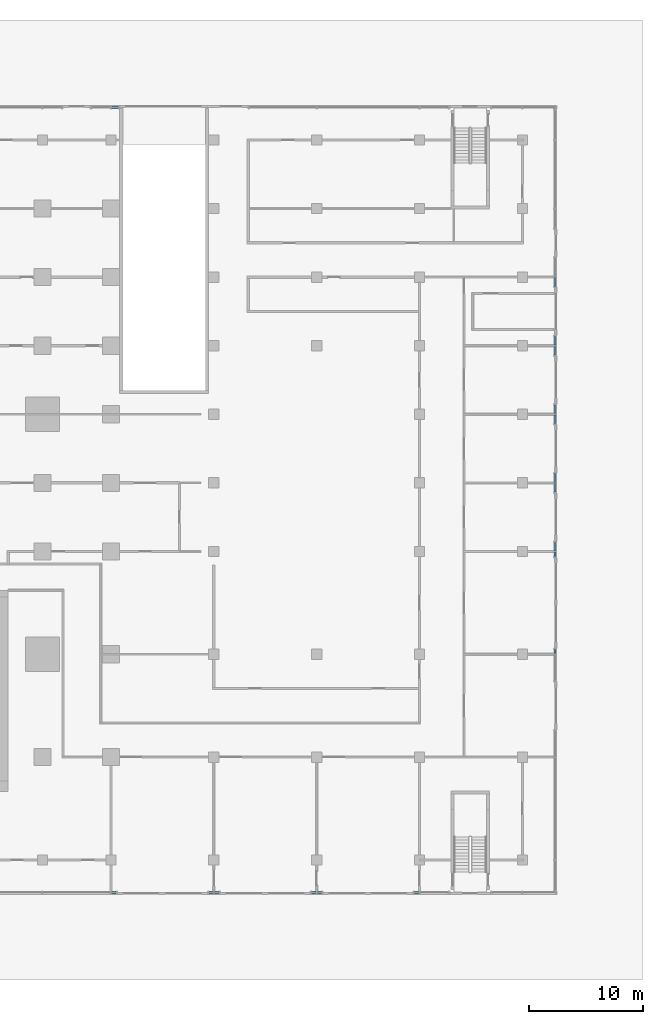
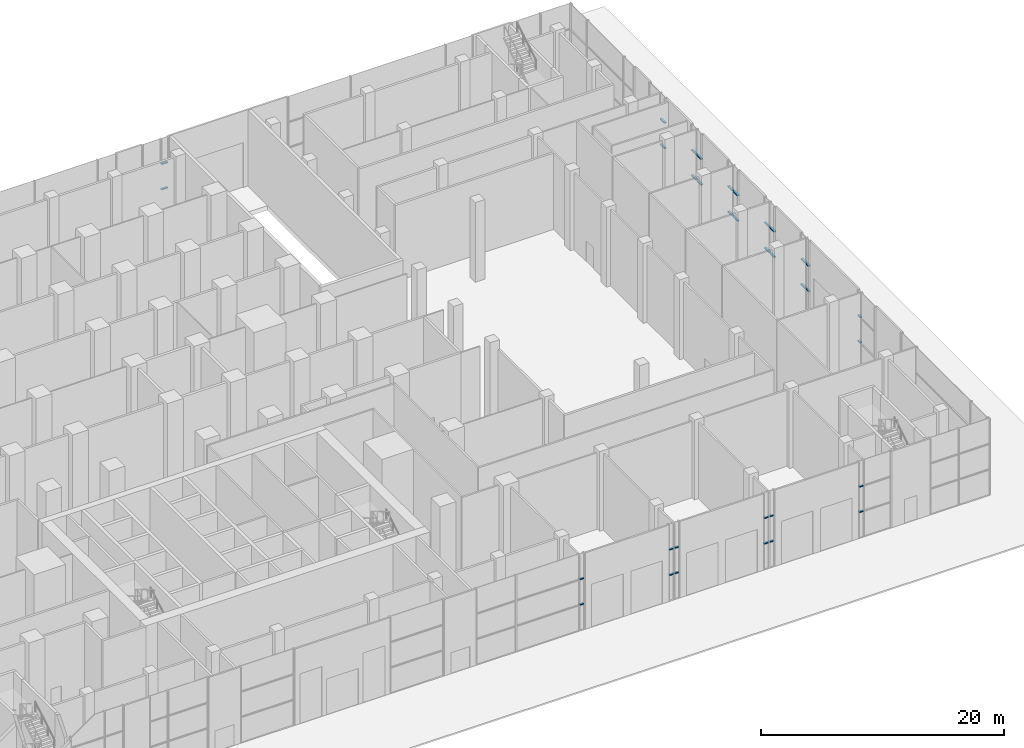
# One storey, part 9 of 29: 34 members, 11 elements without a shape of their own.
"""IFC4 building model written with IfcOpenShell, lengths in metres."""

import ifcopenshell
import ifcopenshell.guid

model = None  # the IFC model being written
_history = None  # IfcOwnerHistory: only IFC2X3 demands one
_inside = {}  # id of a spatial element -> (the spatial element, [elements in it])
_under = {}  # id of a project, library or spatial element -> (it, [spatial elements below it])
_declared = {}  # id of a project -> (the project, [libraries it declares])
_typed = {}  # id of a type object -> (the type object, [elements of that type])
_made_of = {}  # id of a material, layer set ... -> (it, [elements and type objects made of it])


def new_model(schema):
    """Start an empty IFC model of exactly this schema.

    Asked for "IFC4X3", IfcOpenShell would pick the latest addendum, in which some entities
    have other attributes; the version numbers below select the first issue.
    IFC2X3 requires an IfcOwnerHistory on every rooted entity: one is made here for all.
    """
    global model, _history
    if schema == "IFC4X3":
        model = ifcopenshell.file(schema_version=(4, 3, 0, 0))
    else:
        model = ifcopenshell.file(schema=schema)
    _inside.clear()
    _under.clear()
    _declared.clear()
    _typed.clear()
    _made_of.clear()
    _history = None
    if model.schema == "IFC2X3":
        org = make("IfcOrganization", Name="unknown")
        user = make(
            "IfcPersonAndOrganization",
            ThePerson=make("IfcPerson", FamilyName="unknown"),
            TheOrganization=org,
        )
        app = make(
            "IfcApplication",
            ApplicationDeveloper=org,
            Version="unknown",
            ApplicationFullName="unknown",
            ApplicationIdentifier="unknown",
        )
        _history = make(
            "IfcOwnerHistory",
            OwningUser=user,
            OwningApplication=app,
            ChangeAction="ADDED",
            CreationDate=0,
        )
    return model


def make(cls, **values):
    """One entity of the class cls with the attributes given. An attribute that is None is left unset."""
    return model.create_entity(
        cls, **{name: value for name, value in values.items() if value is not None}
    )


def rooted(cls, **values):
    """An entity with a GlobalId (a new one), such as an element, a storey or a relation."""
    return make(cls, GlobalId=ifcopenshell.guid.new(), OwnerHistory=_history, **values)


def si_unit(unit_type, name, prefix=None):
    """IfcSIUnit, for example si_unit("LENGTHUNIT", "METRE", prefix="MILLI")."""
    return make("IfcSIUnit", UnitType=unit_type, Prefix=prefix, Name=name)


def assignment(units):
    """IfcUnitAssignment: the units of a project."""
    return None if units is None else make("IfcUnitAssignment", Units=units)


def point(xyz):
    """IfcCartesianPoint."""
    return None if xyz is None else make("IfcCartesianPoint", Coordinates=xyz)


def direction(xyz):
    """IfcDirection."""
    return None if xyz is None else make("IfcDirection", DirectionRatios=xyz)


def frame(location, z_axis=None, x_axis=None):
    """IfcAxis2Placement3D, a coordinate frame: its origin and axes. An axis left out is left unset."""
    return make(
        "IfcAxis2Placement3D",
        Location=point(location),
        Axis=direction(z_axis),
        RefDirection=direction(x_axis),
    )


def frame_2d(location, x_axis=None):
    """IfcAxis2Placement2D, a coordinate frame in the plane: its origin and x axis."""
    return make(
        "IfcAxis2Placement2D", Location=point(location), RefDirection=direction(x_axis)
    )


def origin():
    """The frame at (0, 0, 0) with its axes left unset."""
    return frame((0.0, 0.0, 0.0))


def origin_2d():
    """The frame at (0, 0) in the plane with its x axis left unset."""
    return frame_2d((0.0, 0.0))


def place(relative_to, where):
    """IfcLocalPlacement: puts the frame where relative to a parent placement (None: the world)."""
    return make(
        "IfcLocalPlacement", PlacementRelTo=relative_to, RelativePlacement=where
    )


def context(
    kind, dimensions, precision=None, world=None, true_north=None, identifier=None
):
    """IfcGeometricRepresentationContext, for example the 3D "Model" context."""
    return make(
        "IfcGeometricRepresentationContext",
        ContextIdentifier=identifier,
        ContextType=kind,
        CoordinateSpaceDimension=dimensions,
        Precision=precision,
        WorldCoordinateSystem=world,
        TrueNorth=true_north,
    )


def subcontext(parent, identifier, kind, view, scale=None):
    """IfcGeometricRepresentationSubContext, for example "Body" below "Model"."""
    return make(
        "IfcGeometricRepresentationSubContext",
        ContextIdentifier=identifier,
        ContextType=kind,
        ParentContext=parent,
        TargetScale=scale,
        TargetView=view,
    )


def project(units=None, contexts=None):
    """IfcProject with its units and contexts."""
    return rooted(
        "IfcProject",
        Name="project",
        RepresentationContexts=contexts,
        UnitsInContext=assignment(units),
    )


def spatial(cls, under=None, at=None, **own):
    """A site, building, storey or space (cls), placed at a placement, below another one or the project."""
    s = rooted(cls, ObjectPlacement=at, **own)
    if under is not None:
        _under.setdefault(under.id(), (under, []))[1].append(s)
    return s


def profile(cls, at=None, kind="AREA", **sizes):
    """A parametric profile (cls). Its sizes go by their IFC names, for example OverallWidth=200.0."""
    return make(cls, ProfileType=kind, Position=at, **sizes)


def rectangle(**sizes):
    """IfcRectangleProfileDef."""
    return profile("IfcRectangleProfileDef", **sizes)


def extrude(swept, where, along, depth):
    """IfcExtrudedAreaSolid: the profile swept, set in the frame where, extruded along a direction by depth."""
    return make(
        "IfcExtrudedAreaSolid",
        SweptArea=swept,
        Position=where,
        ExtrudedDirection=direction(along),
        Depth=depth,
    )


def shape(context_of_items, identifier, shape_type, items):
    """IfcShapeRepresentation: the items that make up one representation, for example the "Body"."""
    return make(
        "IfcShapeRepresentation",
        ContextOfItems=context_of_items,
        RepresentationIdentifier=identifier,
        RepresentationType=shape_type,
        Items=items,
    )


def material(Name=None, Category=None):
    """IfcMaterial."""
    return make("IfcMaterial", Name=Name, Category=Category)


def material_profile(
    of_material, cross_section, Name=None, Category=None, Priority=None
):
    """IfcMaterialProfile: a cross section and its material."""
    return make(
        "IfcMaterialProfile",
        Name=Name,
        Material=of_material,
        Profile=cross_section,
        Priority=Priority,
        Category=Category,
    )


def profile_set(profiles, Name=None, composite=None):
    """IfcMaterialProfileSet."""
    return make(
        "IfcMaterialProfileSet",
        Name=Name,
        MaterialProfiles=profiles,
        CompositeProfile=composite,
    )


def made_of(thing, what):
    """Note that an element or type object is made of a material, layer set ...; save() writes the relation."""
    if what is not None:
        _made_of.setdefault(what.id(), (what, []))[1].append(thing)
    return thing


def type_object(cls, material=None, **own):
    """A type object (cls), such as IfcWallType, which elements share."""
    return made_of(rooted(cls, **own), material)


def element(
    cls,
    number,
    at=None,
    inside=None,
    cuts=None,
    type_object=None,
    material=None,
    context=None,
    identifier="Body",
    shape_type=None,
    held_by="IfcProductDefinitionShape",
    body=None,
    shapes=None,
    **own,
):
    """One element of the class cls, such as IfcWall. Its Tag is "e" and its number.

    at: its placement. inside: the storey or other place that contains it. cuts: it is an
    opening in that element (IfcRelVoidsElement). A single representation is given by context,
    identifier, shape_type and body (its items); several are given by shapes. held_by: the class
    of the entity that holds the representations. save() writes the other relations.
    """
    e = rooted(cls, Tag="e%d" % number, ObjectPlacement=at, **own)
    if body is not None:
        shapes = [shape(context, identifier, shape_type, body)]
    if shapes is not None:
        e.Representation = make(held_by, Representations=shapes)
    if inside is not None:
        _inside.setdefault(inside.id(), (inside, []))[1].append(e)
    if cuts is not None:
        rooted(
            "IfcRelVoidsElement", RelatingBuildingElement=cuts, RelatedOpeningElement=e
        )
    if type_object is not None:
        _typed.setdefault(type_object.id(), (type_object, []))[1].append(e)
    return made_of(e, material)


def aggregate(whole, parts):
    """IfcRelAggregates: a whole, such as a stair, and the parts it consists of."""
    return rooted("IfcRelAggregates", RelatingObject=whole, RelatedObjects=parts)


def save(model, path):
    """Write the relations noted so far, then the file.

    IfcRelAggregates (storeys below a building ...), IfcRelContainedInSpatialStructure (elements
    in a storey), IfcRelDefinesByType, IfcRelAssociatesMaterial and IfcRelDeclares: one each for
    every whole, place, type object, material and project.
    """
    for whole, parts in _under.values():
        aggregate(whole, parts)
    for where, things in _inside.values():
        rooted(
            "IfcRelContainedInSpatialStructure",
            RelatedElements=things,
            RelatingStructure=where,
        )
    for kind, things in _typed.values():
        rooted("IfcRelDefinesByType", RelatedObjects=things, RelatingType=kind)
    for what, things in _made_of.values():
        rooted("IfcRelAssociatesMaterial", RelatedObjects=things, RelatingMaterial=what)
    for by, libraries in _declared.values():
        rooted("IfcRelDeclares", RelatingContext=by, RelatedDefinitions=libraries)
    model.write(path)


model = new_model("IFC4")

# Units and contexts
model_context = context("Model", 3, precision=1e-05, world=origin(), true_north=direction((0.0, 1.0)))
body_context = subcontext(model_context, "Body", "Model", "MODEL_VIEW")
ifc_project = project(units=[si_unit("LENGTHUNIT", "METRE"), si_unit("AREAUNIT", "SQUARE_METRE"), si_unit("VOLUMEUNIT", "CUBIC_METRE"), si_unit("PLANEANGLEUNIT", "RADIAN"), si_unit("MASSUNIT", "GRAM", prefix="KILO")], contexts=[model_context])

# Site, building, storey
site_placement = place(None, origin())
site = spatial("IfcSite", under=ifc_project, at=site_placement, CompositionType="ELEMENT")
building_placement = place(site_placement, origin())
building = spatial("IfcBuilding", under=site, at=building_placement, Name="Finial Court Residences", CompositionType="ELEMENT")
storey_placement = place(building_placement, origin())
storey = spatial("IfcBuildingStorey", under=building, at=storey_placement, Name="L00", CompositionType="ELEMENT", Elevation=0.0)

# Curtain wall, members
ifc_material = material(Name="Bronze anodised aluminium", Category="aluminium")
curtain_wall_type = type_object("IfcCurtainWallType", Name="Podium shopfront", PredefinedType="NOTDEFINED", material=ifc_material)
curtain_wall_1_placement = place(storey_placement, origin())
curtain_wall_1 = element("IfcCurtainWall", 1, at=curtain_wall_1_placement, inside=storey, type_object=curtain_wall_type, Name="E-L00-CW-N6", PredefinedType="NOTDEFINED")
ifc_material_profile = material_profile(ifc_material, rectangle(XDim=0.199951171875, YDim=0.10009765625, at=origin_2d()), Name="CW4 transom 100 x 200")
ifc_profile_set = profile_set([ifc_material_profile], Name="Bronze anodised aluminium")
member_type = type_object("IfcMemberType", Name="CW4 transom 100 x 200", PredefinedType="USERDEFINED", material=ifc_profile_set)
member_1_placement = place(storey_placement, frame((22.550048828125, 34.35009765625, 2.550048828125), z_axis=(1.0, 0.0, 0.0), x_axis=(0.0, 1.0, 0.0)))
member_1 = element("IfcMember", 2, at=member_1_placement, type_object=member_type, Name="CW4 transom 2.1", ObjectType="TRANSOM", PredefinedType="USERDEFINED", context=body_context, shape_type="SweptSolid", body=[
    extrude(rectangle(XDim=0.199951171875, YDim=0.10009765625, at=origin_2d()), origin(), (0.0, 0.0, 1.0), 0.599853515625),
])
member_2_placement = place(storey_placement, frame((22.550048828125, 34.35009765625, 5.10009765625), z_axis=(1.0, 0.0, 0.0), x_axis=(0.0, 1.0, 0.0)))
member_2 = element("IfcMember", 3, at=member_2_placement, type_object=member_type, Name="CW4 transom 2.2", ObjectType="TRANSOM", PredefinedType="USERDEFINED", context=body_context, shape_type="SweptSolid", body=[
    extrude(rectangle(XDim=0.199951171875, YDim=0.10009765625, at=origin_2d()), origin(), (0.0, 0.0, 1.0), 0.599853515625),
])
aggregate(curtain_wall_1, [member_1, member_2])

curtain_wall_2_placement = place(storey_placement, origin())
curtain_wall_2 = element("IfcCurtainWall", 4, at=curtain_wall_2_placement, inside=storey, type_object=curtain_wall_type, Name="E-L00-CW-E10", PredefinedType="NOTDEFINED")
member_3_placement = place(storey_placement, frame((61.35009765625, -13.449951171875, 2.550048828125), z_axis=(0.0, 1.0, 0.0), x_axis=(-1.0, 0.0, 0.0)))
member_3 = element("IfcMember", 5, at=member_3_placement, type_object=member_type, Name="CW4 transom 2.1", ObjectType="TRANSOM", PredefinedType="USERDEFINED", context=body_context, shape_type="SweptSolid", body=[
    extrude(rectangle(XDim=0.199951171875, YDim=0.10009765625, at=origin_2d()), origin(), (0.0, 0.0, 1.0), 0.3916015625),
])
member_4_placement = place(storey_placement, frame((61.35009765625, -13.449951171875, 5.10009765625), z_axis=(0.0, 1.0, 0.0), x_axis=(-1.0, 0.0, 0.0)))
member_4 = element("IfcMember", 6, at=member_4_placement, type_object=member_type, Name="CW4 transom 2.2", ObjectType="TRANSOM", PredefinedType="USERDEFINED", context=body_context, shape_type="SweptSolid", body=[
    extrude(rectangle(XDim=0.199951171875, YDim=0.10009765625, at=origin_2d()), origin(), (0.0, 0.0, 1.0), 0.3916015625),
])
aggregate(curtain_wall_2, [member_3, member_4])

curtain_wall_3_placement = place(storey_placement, origin())
curtain_wall_3 = element("IfcCurtainWall", 7, at=curtain_wall_3_placement, inside=storey, type_object=curtain_wall_type, Name="E-L00-CW-E11", PredefinedType="NOTDEFINED")
member_5_placement = place(storey_placement, frame((61.35009765625, -4.941650390625, 2.550048828125), z_axis=(0.0, 1.0, 0.0), x_axis=(-1.0, 0.0, 0.0)))
member_5 = element("IfcMember", 8, at=member_5_placement, type_object=member_type, Name="CW4 transom 1.1", ObjectType="TRANSOM", PredefinedType="USERDEFINED", context=body_context, shape_type="SweptSolid", body=[
    extrude(rectangle(XDim=0.199951171875, YDim=0.10009765625, at=origin_2d()), origin(), (0.0, 0.0, 1.0), 0.3916015625),
])
member_6_placement = place(storey_placement, frame((61.35009765625, -4.941650390625, 5.10009765625), z_axis=(0.0, 1.0, 0.0), x_axis=(-1.0, 0.0, 0.0)))
member_6 = element("IfcMember", 9, at=member_6_placement, type_object=member_type, Name="CW4 transom 1.2", ObjectType="TRANSOM", PredefinedType="USERDEFINED", context=body_context, shape_type="SweptSolid", body=[
    extrude(rectangle(XDim=0.199951171875, YDim=0.10009765625, at=origin_2d()), origin(), (0.0, 0.0, 1.0), 0.3916015625),
])
member_7_placement = place(storey_placement, frame((61.35009765625, -4.449951171875, 2.550048828125), z_axis=(0.0, 1.0, 0.0), x_axis=(-1.0, 0.0, 0.0)))
member_7 = element("IfcMember", 10, at=member_7_placement, type_object=member_type, Name="CW4 transom 2.1", ObjectType="TRANSOM", PredefinedType="USERDEFINED", context=body_context, shape_type="SweptSolid", body=[
    extrude(rectangle(XDim=0.199951171875, YDim=0.10009765625, at=origin_2d()), origin(), (0.0, 0.0, 1.0), 0.75),
])
member_8_placement = place(storey_placement, frame((61.35009765625, -4.449951171875, 5.10009765625), z_axis=(0.0, 1.0, 0.0), x_axis=(-1.0, 0.0, 0.0)))
member_8 = element("IfcMember", 11, at=member_8_placement, type_object=member_type, Name="CW4 transom 2.2", ObjectType="TRANSOM", PredefinedType="USERDEFINED", context=body_context, shape_type="SweptSolid", body=[
    extrude(rectangle(XDim=0.199951171875, YDim=0.10009765625, at=origin_2d()), origin(), (0.0, 0.0, 1.0), 0.75),
])
aggregate(curtain_wall_3, [member_5, member_6, member_7, member_8])

curtain_wall_4_placement = place(storey_placement, origin())
curtain_wall_4 = element("IfcCurtainWall", 12, at=curtain_wall_4_placement, inside=storey, type_object=curtain_wall_type, Name="E-L00-CW-E12", PredefinedType="NOTDEFINED")
member_9_placement = place(storey_placement, frame((61.35009765625, 0.699951171875, 2.550048828125), z_axis=(0.0, 1.0, 0.0), x_axis=(-1.0, 0.0, 0.0)))
member_9 = element("IfcMember", 13, at=member_9_placement, type_object=member_type, Name="CW4 transom 1.1", ObjectType="TRANSOM", PredefinedType="USERDEFINED", context=body_context, shape_type="SweptSolid", body=[
    extrude(rectangle(XDim=0.199951171875, YDim=0.10009765625, at=origin_2d()), origin(), (0.0, 0.0, 1.0), 0.75),
])
member_10_placement = place(storey_placement, frame((61.35009765625, 0.699951171875, 5.10009765625), z_axis=(0.0, 1.0, 0.0), x_axis=(-1.0, 0.0, 0.0)))
member_10 = element("IfcMember", 14, at=member_10_placement, type_object=member_type, Name="CW4 transom 1.2", ObjectType="TRANSOM", PredefinedType="USERDEFINED", context=body_context, shape_type="SweptSolid", body=[
    extrude(rectangle(XDim=0.199951171875, YDim=0.10009765625, at=origin_2d()), origin(), (0.0, 0.0, 1.0), 0.75),
])
member_11_placement = place(storey_placement, frame((61.35009765625, 1.550048828125, 2.550048828125), z_axis=(0.0, 1.0, 0.0), x_axis=(-1.0, 0.0, 0.0)))
member_11 = element("IfcMember", 15, at=member_11_placement, type_object=member_type, Name="CW4 transom 2.1", ObjectType="TRANSOM", PredefinedType="USERDEFINED", context=body_context, shape_type="SweptSolid", body=[
    extrude(rectangle(XDim=0.199951171875, YDim=0.10009765625, at=origin_2d()), origin(), (0.0, 0.0, 1.0), 0.75),
])
member_12_placement = place(storey_placement, frame((61.35009765625, 1.550048828125, 5.10009765625), z_axis=(0.0, 1.0, 0.0), x_axis=(-1.0, 0.0, 0.0)))
member_12 = element("IfcMember", 16, at=member_12_placement, type_object=member_type, Name="CW4 transom 2.2", ObjectType="TRANSOM", PredefinedType="USERDEFINED", context=body_context, shape_type="SweptSolid", body=[
    extrude(rectangle(XDim=0.199951171875, YDim=0.10009765625, at=origin_2d()), origin(), (0.0, 0.0, 1.0), 0.75),
])
aggregate(curtain_wall_4, [member_9, member_10, member_11, member_12])

curtain_wall_5_placement = place(storey_placement, origin())
curtain_wall_5 = element("IfcCurtainWall", 17, at=curtain_wall_5_placement, inside=storey, type_object=curtain_wall_type, Name="E-L00-CW-E13", PredefinedType="NOTDEFINED")
member_13_placement = place(storey_placement, frame((61.35009765625, 6.699951171875, 2.550048828125), z_axis=(0.0, 1.0, 0.0), x_axis=(-1.0, 0.0, 0.0)))
member_13 = element("IfcMember", 18, at=member_13_placement, type_object=member_type, Name="CW4 transom 1.1", ObjectType="TRANSOM", PredefinedType="USERDEFINED", context=body_context, shape_type="SweptSolid", body=[
    extrude(rectangle(XDim=0.199951171875, YDim=0.10009765625, at=origin_2d()), origin(), (0.0, 0.0, 1.0), 0.75),
])
member_14_placement = place(storey_placement, frame((61.35009765625, 6.699951171875, 5.10009765625), z_axis=(0.0, 1.0, 0.0), x_axis=(-1.0, 0.0, 0.0)))
member_14 = element("IfcMember", 19, at=member_14_placement, type_object=member_type, Name="CW4 transom 1.2", ObjectType="TRANSOM", PredefinedType="USERDEFINED", context=body_context, shape_type="SweptSolid", body=[
    extrude(rectangle(XDim=0.199951171875, YDim=0.10009765625, at=origin_2d()), origin(), (0.0, 0.0, 1.0), 0.75),
])
member_15_placement = place(storey_placement, frame((61.35009765625, 7.550048828125, 2.550048828125), z_axis=(0.0, 1.0, 0.0), x_axis=(-1.0, 0.0, 0.0)))
member_15 = element("IfcMember", 20, at=member_15_placement, type_object=member_type, Name="CW4 transom 2.1", ObjectType="TRANSOM", PredefinedType="USERDEFINED", context=body_context, shape_type="SweptSolid", body=[
    extrude(rectangle(XDim=0.199951171875, YDim=0.10009765625, at=origin_2d()), origin(), (0.0, 0.0, 1.0), 0.75),
])
member_16_placement = place(storey_placement, frame((61.35009765625, 7.550048828125, 5.10009765625), z_axis=(0.0, 1.0, 0.0), x_axis=(-1.0, 0.0, 0.0)))
member_16 = element("IfcMember", 21, at=member_16_placement, type_object=member_type, Name="CW4 transom 2.2", ObjectType="TRANSOM", PredefinedType="USERDEFINED", context=body_context, shape_type="SweptSolid", body=[
    extrude(rectangle(XDim=0.199951171875, YDim=0.10009765625, at=origin_2d()), origin(), (0.0, 0.0, 1.0), 0.75),
])
aggregate(curtain_wall_5, [member_13, member_14, member_15, member_16])

curtain_wall_6_placement = place(storey_placement, origin())
curtain_wall_6 = element("IfcCurtainWall", 22, at=curtain_wall_6_placement, inside=storey, type_object=curtain_wall_type, Name="E-L00-CW-E14", PredefinedType="NOTDEFINED")
member_17_placement = place(storey_placement, frame((61.35009765625, 12.699951171875, 2.550048828125), z_axis=(0.0, 1.0, 0.0), x_axis=(-1.0, 0.0, 0.0)))
member_17 = element("IfcMember", 23, at=member_17_placement, type_object=member_type, Name="CW4 transom 1.1", ObjectType="TRANSOM", PredefinedType="USERDEFINED", context=body_context, shape_type="SweptSolid", body=[
    extrude(rectangle(XDim=0.199951171875, YDim=0.10009765625, at=origin_2d()), origin(), (0.0, 0.0, 1.0), 0.75),
])
member_18_placement = place(storey_placement, frame((61.35009765625, 12.699951171875, 5.10009765625), z_axis=(0.0, 1.0, 0.0), x_axis=(-1.0, 0.0, 0.0)))
member_18 = element("IfcMember", 24, at=member_18_placement, type_object=member_type, Name="CW4 transom 1.2", ObjectType="TRANSOM", PredefinedType="USERDEFINED", context=body_context, shape_type="SweptSolid", body=[
    extrude(rectangle(XDim=0.199951171875, YDim=0.10009765625, at=origin_2d()), origin(), (0.0, 0.0, 1.0), 0.75),
])
member_19_placement = place(storey_placement, frame((61.35009765625, 13.550048828125, 2.550048828125), z_axis=(0.0, 1.0, 0.0), x_axis=(-1.0, 0.0, 0.0)))
member_19 = element("IfcMember", 25, at=member_19_placement, type_object=member_type, Name="CW4 transom 2.1", ObjectType="TRANSOM", PredefinedType="USERDEFINED", context=body_context, shape_type="SweptSolid", body=[
    extrude(rectangle(XDim=0.199951171875, YDim=0.10009765625, at=origin_2d()), origin(), (0.0, 0.0, 1.0), 0.75),
])
member_20_placement = place(storey_placement, frame((61.35009765625, 13.550048828125, 5.10009765625), z_axis=(0.0, 1.0, 0.0), x_axis=(-1.0, 0.0, 0.0)))
member_20 = element("IfcMember", 26, at=member_20_placement, type_object=member_type, Name="CW4 transom 2.2", ObjectType="TRANSOM", PredefinedType="USERDEFINED", context=body_context, shape_type="SweptSolid", body=[
    extrude(rectangle(XDim=0.199951171875, YDim=0.10009765625, at=origin_2d()), origin(), (0.0, 0.0, 1.0), 0.75),
])
aggregate(curtain_wall_6, [member_17, member_18, member_19, member_20])

curtain_wall_7_placement = place(storey_placement, origin())
curtain_wall_7 = element("IfcCurtainWall", 27, at=curtain_wall_7_placement, inside=storey, type_object=curtain_wall_type, Name="E-L00-CW-E15", PredefinedType="NOTDEFINED")
member_21_placement = place(storey_placement, frame((61.35009765625, 18.699951171875, 2.550048828125), z_axis=(0.0, 1.0, 0.0), x_axis=(-1.0, 0.0, 0.0)))
member_21 = element("IfcMember", 28, at=member_21_placement, type_object=member_type, Name="CW4 transom 1.1", ObjectType="TRANSOM", PredefinedType="USERDEFINED", context=body_context, shape_type="SweptSolid", body=[
    extrude(rectangle(XDim=0.199951171875, YDim=0.10009765625, at=origin_2d()), origin(), (0.0, 0.0, 1.0), 0.75),
])
member_22_placement = place(storey_placement, frame((61.35009765625, 18.699951171875, 5.10009765625), z_axis=(0.0, 1.0, 0.0), x_axis=(-1.0, 0.0, 0.0)))
member_22 = element("IfcMember", 29, at=member_22_placement, type_object=member_type, Name="CW4 transom 1.2", ObjectType="TRANSOM", PredefinedType="USERDEFINED", context=body_context, shape_type="SweptSolid", body=[
    extrude(rectangle(XDim=0.199951171875, YDim=0.10009765625, at=origin_2d()), origin(), (0.0, 0.0, 1.0), 0.75),
])
aggregate(curtain_wall_7, [member_21, member_22])

curtain_wall_8_placement = place(storey_placement, origin())
curtain_wall_8 = element("IfcCurtainWall", 30, at=curtain_wall_8_placement, inside=storey, type_object=curtain_wall_type, Name="E-L00-CW-S22", PredefinedType="NOTDEFINED")
member_23_placement = place(storey_placement, frame((22.550048828125, -34.35009765625, 2.550048828125), z_axis=(1.0, 0.0, 0.0), x_axis=(0.0, 1.0, 0.0)))
member_23 = element("IfcMember", 31, at=member_23_placement, type_object=member_type, Name="CW4 transom 3.1", ObjectType="TRANSOM", PredefinedType="USERDEFINED", context=body_context, shape_type="SweptSolid", body=[
    extrude(rectangle(XDim=0.199951171875, YDim=0.10009765625, at=origin_2d()), origin(), (0.0, 0.0, 1.0), 0.3916015625),
])
member_24_placement = place(storey_placement, frame((22.550048828125, -34.35009765625, 5.10009765625), z_axis=(1.0, 0.0, 0.0), x_axis=(0.0, 1.0, 0.0)))
member_24 = element("IfcMember", 32, at=member_24_placement, type_object=member_type, Name="CW4 transom 3.2", ObjectType="TRANSOM", PredefinedType="USERDEFINED", context=body_context, shape_type="SweptSolid", body=[
    extrude(rectangle(XDim=0.199951171875, YDim=0.10009765625, at=origin_2d()), origin(), (0.0, 0.0, 1.0), 0.3916015625),
])
aggregate(curtain_wall_8, [member_23, member_24])

curtain_wall_9_placement = place(storey_placement, origin())
curtain_wall_9 = element("IfcCurtainWall", 33, at=curtain_wall_9_placement, inside=storey, type_object=curtain_wall_type, Name="E-L00-CW-S23", PredefinedType="NOTDEFINED")
member_25_placement = place(storey_placement, frame((31.058349609375, -34.35009765625, 2.550048828125), z_axis=(1.0, 0.0, 0.0), x_axis=(0.0, 1.0, 0.0)))
member_25 = element("IfcMember", 34, at=member_25_placement, type_object=member_type, Name="CW4 transom 1.1", ObjectType="TRANSOM", PredefinedType="USERDEFINED", context=body_context, shape_type="SweptSolid", body=[
    extrude(rectangle(XDim=0.199951171875, YDim=0.10009765625, at=origin_2d()), origin(), (0.0, 0.0, 1.0), 0.3916015625),
])
member_26_placement = place(storey_placement, frame((31.058349609375, -34.35009765625, 5.10009765625), z_axis=(1.0, 0.0, 0.0), x_axis=(0.0, 1.0, 0.0)))
member_26 = element("IfcMember", 35, at=member_26_placement, type_object=member_type, Name="CW4 transom 1.2", ObjectType="TRANSOM", PredefinedType="USERDEFINED", context=body_context, shape_type="SweptSolid", body=[
    extrude(rectangle(XDim=0.199951171875, YDim=0.10009765625, at=origin_2d()), origin(), (0.0, 0.0, 1.0), 0.3916015625),
])
member_27_placement = place(storey_placement, frame((31.550048828125, -34.35009765625, 2.550048828125), z_axis=(1.0, 0.0, 0.0), x_axis=(0.0, 1.0, 0.0)))
member_27 = element("IfcMember", 36, at=member_27_placement, type_object=member_type, Name="CW4 transom 2.1", ObjectType="TRANSOM", PredefinedType="USERDEFINED", context=body_context, shape_type="SweptSolid", body=[
    extrude(rectangle(XDim=0.199951171875, YDim=0.10009765625, at=origin_2d()), origin(), (0.0, 0.0, 1.0), 0.3916015625),
])
member_28_placement = place(storey_placement, frame((31.550048828125, -34.35009765625, 5.10009765625), z_axis=(1.0, 0.0, 0.0), x_axis=(0.0, 1.0, 0.0)))
member_28 = element("IfcMember", 37, at=member_28_placement, type_object=member_type, Name="CW4 transom 2.2", ObjectType="TRANSOM", PredefinedType="USERDEFINED", context=body_context, shape_type="SweptSolid", body=[
    extrude(rectangle(XDim=0.199951171875, YDim=0.10009765625, at=origin_2d()), origin(), (0.0, 0.0, 1.0), 0.3916015625),
])
aggregate(curtain_wall_9, [member_25, member_26, member_27, member_28])

curtain_wall_10_placement = place(storey_placement, origin())
curtain_wall_10 = element("IfcCurtainWall", 38, at=curtain_wall_10_placement, inside=storey, type_object=curtain_wall_type, Name="E-L00-CW-S24", PredefinedType="NOTDEFINED")
member_29_placement = place(storey_placement, frame((40.058349609375, -34.35009765625, 2.550048828125), z_axis=(1.0, 0.0, 0.0), x_axis=(0.0, 1.0, 0.0)))
member_29 = element("IfcMember", 39, at=member_29_placement, type_object=member_type, Name="CW4 transom 1.1", ObjectType="TRANSOM", PredefinedType="USERDEFINED", context=body_context, shape_type="SweptSolid", body=[
    extrude(rectangle(XDim=0.199951171875, YDim=0.10009765625, at=origin_2d()), origin(), (0.0, 0.0, 1.0), 0.3916015625),
])
member_30_placement = place(storey_placement, frame((40.058349609375, -34.35009765625, 5.10009765625), z_axis=(1.0, 0.0, 0.0), x_axis=(0.0, 1.0, 0.0)))
member_30 = element("IfcMember", 40, at=member_30_placement, type_object=member_type, Name="CW4 transom 1.2", ObjectType="TRANSOM", PredefinedType="USERDEFINED", context=body_context, shape_type="SweptSolid", body=[
    extrude(rectangle(XDim=0.199951171875, YDim=0.10009765625, at=origin_2d()), origin(), (0.0, 0.0, 1.0), 0.3916015625),
])
member_31_placement = place(storey_placement, frame((40.550048828125, -34.35009765625, 2.550048828125), z_axis=(1.0, 0.0, 0.0), x_axis=(0.0, 1.0, 0.0)))
member_31 = element("IfcMember", 41, at=member_31_placement, type_object=member_type, Name="CW4 transom 2.1", ObjectType="TRANSOM", PredefinedType="USERDEFINED", context=body_context, shape_type="SweptSolid", body=[
    extrude(rectangle(XDim=0.199951171875, YDim=0.10009765625, at=origin_2d()), origin(), (0.0, 0.0, 1.0), 0.3916015625),
])
member_32_placement = place(storey_placement, frame((40.550048828125, -34.35009765625, 5.10009765625), z_axis=(1.0, 0.0, 0.0), x_axis=(0.0, 1.0, 0.0)))
member_32 = element("IfcMember", 42, at=member_32_placement, type_object=member_type, Name="CW4 transom 2.2", ObjectType="TRANSOM", PredefinedType="USERDEFINED", context=body_context, shape_type="SweptSolid", body=[
    extrude(rectangle(XDim=0.199951171875, YDim=0.10009765625, at=origin_2d()), origin(), (0.0, 0.0, 1.0), 0.3916015625),
])
aggregate(curtain_wall_10, [member_29, member_30, member_31, member_32])

curtain_wall_11_placement = place(storey_placement, origin())
curtain_wall_11 = element("IfcCurtainWall", 43, at=curtain_wall_11_placement, inside=storey, type_object=curtain_wall_type, Name="E-L00-CW-S25", PredefinedType="NOTDEFINED")
member_33_placement = place(storey_placement, frame((49.058349609375, -34.35009765625, 2.550048828125), z_axis=(1.0, 0.0, 0.0), x_axis=(0.0, 1.0, 0.0)))
member_33 = element("IfcMember", 44, at=member_33_placement, type_object=member_type, Name="CW4 transom 1.1", ObjectType="TRANSOM", PredefinedType="USERDEFINED", context=body_context, shape_type="SweptSolid", body=[
    extrude(rectangle(XDim=0.199951171875, YDim=0.10009765625, at=origin_2d()), origin(), (0.0, 0.0, 1.0), 0.3916015625),
])
member_34_placement = place(storey_placement, frame((49.058349609375, -34.35009765625, 5.10009765625), z_axis=(1.0, 0.0, 0.0), x_axis=(0.0, 1.0, 0.0)))
member_34 = element("IfcMember", 45, at=member_34_placement, type_object=member_type, Name="CW4 transom 1.2", ObjectType="TRANSOM", PredefinedType="USERDEFINED", context=body_context, shape_type="SweptSolid", body=[
    extrude(rectangle(XDim=0.199951171875, YDim=0.10009765625, at=origin_2d()), origin(), (0.0, 0.0, 1.0), 0.3916015625),
])
aggregate(curtain_wall_11, [member_33, member_34])

save(model, "model.ifc")
